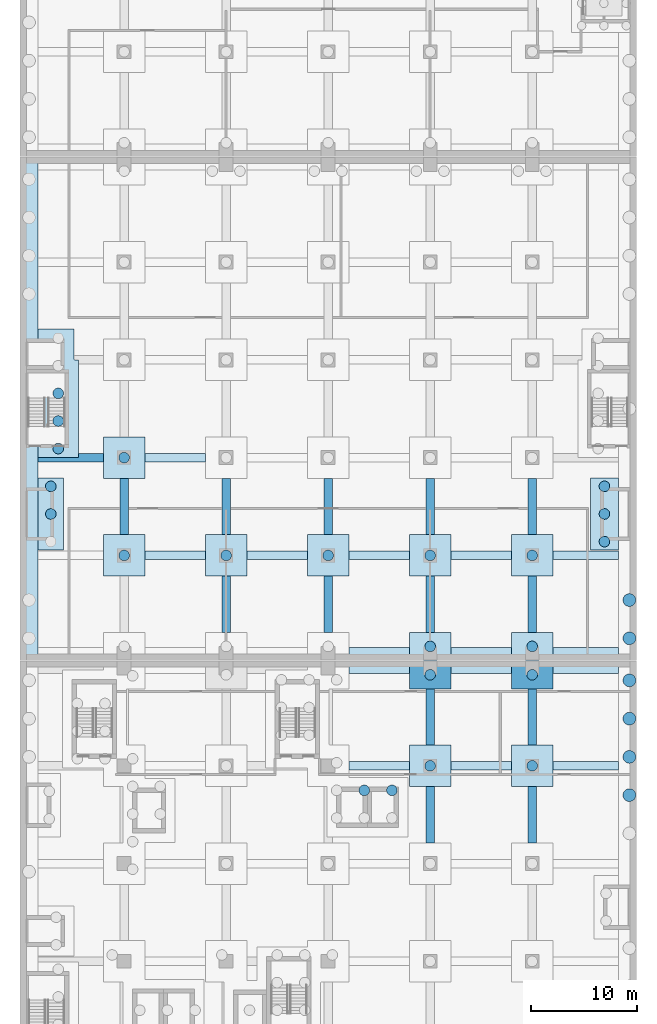
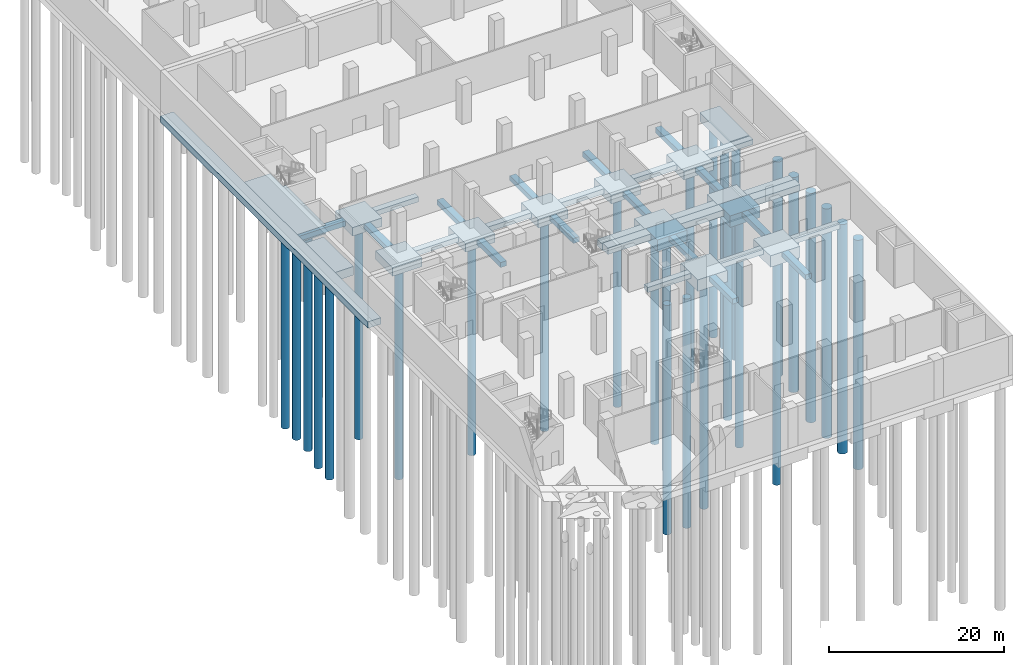
# One storey, part 4 of 33: 45 footings, 28 piles.
"""IFC4 building model written with IfcOpenShell, lengths in metres."""

import ifcopenshell
import ifcopenshell.guid

model = None  # the IFC model being written
_history = None  # IfcOwnerHistory: only IFC2X3 demands one
_inside = {}  # id of a spatial element -> (the spatial element, [elements in it])
_under = {}  # id of a project, library or spatial element -> (it, [spatial elements below it])
_declared = {}  # id of a project -> (the project, [libraries it declares])
_typed = {}  # id of a type object -> (the type object, [elements of that type])
_made_of = {}  # id of a material, layer set ... -> (it, [elements and type objects made of it])


def new_model(schema):
    """Start an empty IFC model of exactly this schema.

    Asked for "IFC4X3", IfcOpenShell would pick the latest addendum, in which some entities
    have other attributes; the version numbers below select the first issue.
    IFC2X3 requires an IfcOwnerHistory on every rooted entity: one is made here for all.
    """
    global model, _history
    if schema == "IFC4X3":
        model = ifcopenshell.file(schema_version=(4, 3, 0, 0))
    else:
        model = ifcopenshell.file(schema=schema)
    _inside.clear()
    _under.clear()
    _declared.clear()
    _typed.clear()
    _made_of.clear()
    _history = None
    if model.schema == "IFC2X3":
        org = make("IfcOrganization", Name="unknown")
        user = make(
            "IfcPersonAndOrganization",
            ThePerson=make("IfcPerson", FamilyName="unknown"),
            TheOrganization=org,
        )
        app = make(
            "IfcApplication",
            ApplicationDeveloper=org,
            Version="unknown",
            ApplicationFullName="unknown",
            ApplicationIdentifier="unknown",
        )
        _history = make(
            "IfcOwnerHistory",
            OwningUser=user,
            OwningApplication=app,
            ChangeAction="ADDED",
            CreationDate=0,
        )
    return model


def make(cls, **values):
    """One entity of the class cls with the attributes given. An attribute that is None is left unset."""
    return model.create_entity(
        cls, **{name: value for name, value in values.items() if value is not None}
    )


def rooted(cls, **values):
    """An entity with a GlobalId (a new one), such as an element, a storey or a relation."""
    return make(cls, GlobalId=ifcopenshell.guid.new(), OwnerHistory=_history, **values)


def si_unit(unit_type, name, prefix=None):
    """IfcSIUnit, for example si_unit("LENGTHUNIT", "METRE", prefix="MILLI")."""
    return make("IfcSIUnit", UnitType=unit_type, Prefix=prefix, Name=name)


def assignment(units):
    """IfcUnitAssignment: the units of a project."""
    return None if units is None else make("IfcUnitAssignment", Units=units)


def point(xyz):
    """IfcCartesianPoint."""
    return None if xyz is None else make("IfcCartesianPoint", Coordinates=xyz)


def direction(xyz):
    """IfcDirection."""
    return None if xyz is None else make("IfcDirection", DirectionRatios=xyz)


def frame(location, z_axis=None, x_axis=None):
    """IfcAxis2Placement3D, a coordinate frame: its origin and axes. An axis left out is left unset."""
    return make(
        "IfcAxis2Placement3D",
        Location=point(location),
        Axis=direction(z_axis),
        RefDirection=direction(x_axis),
    )


def frame_2d(location, x_axis=None):
    """IfcAxis2Placement2D, a coordinate frame in the plane: its origin and x axis."""
    return make(
        "IfcAxis2Placement2D", Location=point(location), RefDirection=direction(x_axis)
    )


def origin():
    """The frame at (0, 0, 0) with its axes left unset."""
    return frame((0.0, 0.0, 0.0))


def origin_2d():
    """The frame at (0, 0) in the plane with its x axis left unset."""
    return frame_2d((0.0, 0.0))


def place(relative_to, where):
    """IfcLocalPlacement: puts the frame where relative to a parent placement (None: the world)."""
    return make(
        "IfcLocalPlacement", PlacementRelTo=relative_to, RelativePlacement=where
    )


def context(
    kind, dimensions, precision=None, world=None, true_north=None, identifier=None
):
    """IfcGeometricRepresentationContext, for example the 3D "Model" context."""
    return make(
        "IfcGeometricRepresentationContext",
        ContextIdentifier=identifier,
        ContextType=kind,
        CoordinateSpaceDimension=dimensions,
        Precision=precision,
        WorldCoordinateSystem=world,
        TrueNorth=true_north,
    )


def subcontext(parent, identifier, kind, view, scale=None):
    """IfcGeometricRepresentationSubContext, for example "Body" below "Model"."""
    return make(
        "IfcGeometricRepresentationSubContext",
        ContextIdentifier=identifier,
        ContextType=kind,
        ParentContext=parent,
        TargetScale=scale,
        TargetView=view,
    )


def project(units=None, contexts=None):
    """IfcProject with its units and contexts."""
    return rooted(
        "IfcProject",
        Name="project",
        RepresentationContexts=contexts,
        UnitsInContext=assignment(units),
    )


def spatial(cls, under=None, at=None, **own):
    """A site, building, storey or space (cls), placed at a placement, below another one or the project."""
    s = rooted(cls, ObjectPlacement=at, **own)
    if under is not None:
        _under.setdefault(under.id(), (under, []))[1].append(s)
    return s


def polyline(points):
    """IfcPolyline through the points."""
    return make("IfcPolyline", Points=[point(p) for p in points])


def profile(cls, at=None, kind="AREA", **sizes):
    """A parametric profile (cls). Its sizes go by their IFC names, for example OverallWidth=200.0."""
    return make(cls, ProfileType=kind, Position=at, **sizes)


def circle(**sizes):
    """IfcCircleProfileDef."""
    return profile("IfcCircleProfileDef", **sizes)


def outline(outer, holes=None, kind="AREA"):
    """IfcArbitraryClosedProfileDef: a profile drawn as a closed curve; with holes, ...WithVoids."""
    if holes is None:
        return make("IfcArbitraryClosedProfileDef", ProfileType=kind, OuterCurve=outer)
    return make(
        "IfcArbitraryProfileDefWithVoids",
        ProfileType=kind,
        OuterCurve=outer,
        InnerCurves=holes,
    )


def extrude(swept, where, along, depth):
    """IfcExtrudedAreaSolid: the profile swept, set in the frame where, extruded along a direction by depth."""
    return make(
        "IfcExtrudedAreaSolid",
        SweptArea=swept,
        Position=where,
        ExtrudedDirection=direction(along),
        Depth=depth,
    )


def shape(context_of_items, identifier, shape_type, items):
    """IfcShapeRepresentation: the items that make up one representation, for example the "Body"."""
    return make(
        "IfcShapeRepresentation",
        ContextOfItems=context_of_items,
        RepresentationIdentifier=identifier,
        RepresentationType=shape_type,
        Items=items,
    )


def material(Name=None, Category=None):
    """IfcMaterial."""
    return make("IfcMaterial", Name=Name, Category=Category)


def layer(
    of_material, thickness, ventilated=None, Name=None, Category=None, Priority=None
):
    """IfcMaterialLayer: one layer of a wall or slab, of a material (None: an air gap)."""
    return make(
        "IfcMaterialLayer",
        Material=of_material,
        LayerThickness=thickness,
        IsVentilated=ventilated,
        Name=Name,
        Category=Category,
        Priority=Priority,
    )


def layer_set(layers, Name=None):
    """IfcMaterialLayerSet."""
    return make("IfcMaterialLayerSet", MaterialLayers=layers, LayerSetName=Name)


def material_profile(
    of_material, cross_section, Name=None, Category=None, Priority=None
):
    """IfcMaterialProfile: a cross section and its material."""
    return make(
        "IfcMaterialProfile",
        Name=Name,
        Material=of_material,
        Profile=cross_section,
        Priority=Priority,
        Category=Category,
    )


def profile_set(profiles, Name=None, composite=None):
    """IfcMaterialProfileSet."""
    return make(
        "IfcMaterialProfileSet",
        Name=Name,
        MaterialProfiles=profiles,
        CompositeProfile=composite,
    )


def made_of(thing, what):
    """Note that an element or type object is made of a material, layer set ...; save() writes the relation."""
    if what is not None:
        _made_of.setdefault(what.id(), (what, []))[1].append(thing)
    return thing


def type_object(cls, material=None, **own):
    """A type object (cls), such as IfcWallType, which elements share."""
    return made_of(rooted(cls, **own), material)


def element(
    cls,
    number,
    at=None,
    inside=None,
    cuts=None,
    type_object=None,
    material=None,
    context=None,
    identifier="Body",
    shape_type=None,
    held_by="IfcProductDefinitionShape",
    body=None,
    shapes=None,
    **own,
):
    """One element of the class cls, such as IfcWall. Its Tag is "e" and its number.

    at: its placement. inside: the storey or other place that contains it. cuts: it is an
    opening in that element (IfcRelVoidsElement). A single representation is given by context,
    identifier, shape_type and body (its items); several are given by shapes. held_by: the class
    of the entity that holds the representations. save() writes the other relations.
    """
    e = rooted(cls, Tag="e%d" % number, ObjectPlacement=at, **own)
    if body is not None:
        shapes = [shape(context, identifier, shape_type, body)]
    if shapes is not None:
        e.Representation = make(held_by, Representations=shapes)
    if inside is not None:
        _inside.setdefault(inside.id(), (inside, []))[1].append(e)
    if cuts is not None:
        rooted(
            "IfcRelVoidsElement", RelatingBuildingElement=cuts, RelatedOpeningElement=e
        )
    if type_object is not None:
        _typed.setdefault(type_object.id(), (type_object, []))[1].append(e)
    return made_of(e, material)


def aggregate(whole, parts):
    """IfcRelAggregates: a whole, such as a stair, and the parts it consists of."""
    return rooted("IfcRelAggregates", RelatingObject=whole, RelatedObjects=parts)


def save(model, path):
    """Write the relations noted so far, then the file.

    IfcRelAggregates (storeys below a building ...), IfcRelContainedInSpatialStructure (elements
    in a storey), IfcRelDefinesByType, IfcRelAssociatesMaterial and IfcRelDeclares: one each for
    every whole, place, type object, material and project.
    """
    for whole, parts in _under.values():
        aggregate(whole, parts)
    for where, things in _inside.values():
        rooted(
            "IfcRelContainedInSpatialStructure",
            RelatedElements=things,
            RelatingStructure=where,
        )
    for kind, things in _typed.values():
        rooted("IfcRelDefinesByType", RelatedObjects=things, RelatingType=kind)
    for what, things in _made_of.values():
        rooted("IfcRelAssociatesMaterial", RelatedObjects=things, RelatingMaterial=what)
    for by, libraries in _declared.values():
        rooted("IfcRelDeclares", RelatingContext=by, RelatedDefinitions=libraries)
    model.write(path)


model = new_model("IFC4")

# Units and contexts
model_context = context("Model", 3, precision=1e-05, world=origin(), true_north=direction((0.0, 1.0)))
body_context = subcontext(model_context, "Body", "Model", "MODEL_VIEW")
ifc_project = project(units=[si_unit("LENGTHUNIT", "METRE"), si_unit("AREAUNIT", "SQUARE_METRE"), si_unit("VOLUMEUNIT", "CUBIC_METRE"), si_unit("PLANEANGLEUNIT", "RADIAN"), si_unit("MASSUNIT", "GRAM", prefix="KILO")], contexts=[model_context])

# Site, building, storey
site_placement = place(None, origin())
site = spatial("IfcSite", under=ifc_project, at=site_placement, CompositionType="ELEMENT")
building_placement = place(site_placement, origin())
building = spatial("IfcBuilding", under=site, at=building_placement, Name="Nzadi Deep Aquarium and Research Tower", CompositionType="ELEMENT")
storey_placement = place(building_placement, frame((0.0, 0.0, -5.5)))
storey = spatial("IfcBuildingStorey", under=building, at=storey_placement, Name="B1", CompositionType="ELEMENT", Elevation=-5.5)

# Piles
ifc_material_1 = material(Name="Concrete C40/50", Category="concrete")
ifc_material_profile_1 = material_profile(ifc_material_1, circle(Radius=0.5, at=origin_2d()))
ifc_profile_set_1 = profile_set([ifc_material_profile_1], Name="Concrete C40/50")
pile_type_1 = type_object("IfcPileType", Name="Bored pile D1000", PredefinedType="BORED", material=ifc_profile_set_1)
for number, where, z_axis, x_axis, name in (
    (1, (32.199951171875, 34.489990234375, -2.10009765625), (0.0, 0.0, -1.0), (1.0, 0.0, 0.0), "P-Z1-23-12"),
    (2, (34.800048828125, 34.489990234375, -2.10009765625), (0.0, 0.0, -1.0), (1.0, 0.0, 0.0), "P-Z1-23-14"),
    (3, (38.39990234375, 36.800048828125, -2.10009765625), (0.0, 0.0, -1.0), (1.0, 0.0, 0.0), "P-Z1-25-1"),
    (4, (48.0, 36.800048828125, -2.10009765625), (0.0, 0.0, -1.0), (1.0, 0.0, 0.0), "P-Z1-26-1"),
    (5, (38.400146484375, 45.364990234375, -2.10009765625), (0.0, 0.0, -1.0), (1.0, 0.0, 0.0), "P-Z1-28-1"),
    (6, (48.000244140625, 45.364990234375, -2.10009765625), (0.0, 0.0, -1.0), (1.0, 0.0, 0.0), "P-Z1-29-1"),
):
    element("IfcPile", number, at=place(storey_placement, frame(where, z_axis=z_axis, x_axis=x_axis)), inside=storey, type_object=pile_type_1, Name=name, PredefinedType="BORED", context=body_context, shape_type="SweptSolid", body=[
        extrude(circle(Radius=0.5, at=origin_2d()), origin(), (0.0, 0.0, 1.0), 32.0),
    ])
for number, where, z_axis, x_axis, name in (
    (7, (38.39990234375, 48.034912109375, -1.89990234375), (0.0, 0.0, -1.0), (1.0, 0.0, 0.0), "P-Z2-04-1"),
    (8, (47.999755859375, 48.034912109375, -1.89990234375), (0.0, 0.0, -1.0), (1.0, 0.0, 0.0), "P-Z2-05-1"),
    (9, (9.599853515625, 56.60009765625, -1.89990234375), (0.0, 0.0, -1.0), (1.0, 0.0, 0.0), "P-Z2-06-1"),
    (10, (19.199951171875, 56.60009765625, -1.89990234375), (0.0, 0.0, -1.0), (1.0, 0.0, 0.0), "P-Z2-07-1"),
    (11, (28.7998046875, 56.60009765625, -1.89990234375), (0.0, 0.0, -1.0), (1.0, 0.0, 0.0), "P-Z2-08-1"),
    (12, (38.39990234375, 56.60009765625, -1.89990234375), (0.0, 0.0, -1.0), (1.0, 0.0, 0.0), "P-Z2-09-1"),
    (13, (48.0, 56.60009765625, -1.89990234375), (0.0, 0.0, -1.0), (1.0, 0.0, 0.0), "P-Z2-10-1"),
    (14, (2.699951171875, 60.5, -1.89990234375), (0.0, 0.0, -1.0), (1.0, 0.0, 0.0), "P-Z2-11-2"),
    (15, (2.699951171875, 63.10009765625, -1.89990234375), (0.0, 0.0, -1.0), (1.0, 0.0, 0.0), "P-Z2-11-3"),
    (16, (54.800048828125, 57.89990234375, -1.89990234375), (0.0, 0.0, -1.0), (1.0, 0.0, 0.0), "P-Z2-12-1"),
    (17, (54.800048828125, 60.5, -1.89990234375), (0.0, 0.0, -1.0), (1.0, 0.0, 0.0), "P-Z2-12-2"),
    (18, (54.800048828125, 63.10009765625, -1.89990234375), (0.0, 0.0, -1.0), (1.0, 0.0, 0.0), "P-Z2-12-3"),
    (19, (9.599853515625, 65.800048828125, -1.89990234375), (0.0, 0.0, -1.0), (1.0, 0.0, 0.0), "P-Z2-13-1"),
    (20, (3.39990234375, 66.64990234375, -1.89990234375), (0.0, 0.0, -1.0), (1.0, 0.0, 0.0), "P-Z2-18-1"),
    (21, (3.39990234375, 69.25, -1.89990234375), (0.0, 0.0, -1.0), (1.0, 0.0, 0.0), "P-Z2-18-2"),
    (22, (3.39990234375, 71.85009765625, -1.89990234375), (0.0, 0.0, -1.0), (1.0, 0.0, 0.0), "P-Z2-18-3"),
):
    element("IfcPile", number, at=place(storey_placement, frame(where, z_axis=z_axis, x_axis=x_axis)), inside=storey, type_object=pile_type_1, Name=name, PredefinedType="BORED", context=body_context, shape_type="SweptSolid", body=[
        extrude(circle(Radius=0.5, at=origin_2d()), origin(), (0.0, 0.0, 1.0), 30.0),
    ])
ifc_material_2 = material(Name="Concrete C40/50", Category="concrete")
ifc_material_profile_2 = material_profile(ifc_material_2, circle(Radius=0.60009765625, at=origin_2d()))
ifc_profile_set_2 = profile_set([ifc_material_profile_2], Name="Concrete C40/50")
pile_type_2 = type_object("IfcPileType", Name="Bored pile D1200", PredefinedType="BORED", material=ifc_profile_set_2)
for number, where, z_axis, x_axis, name in (
    (23, (57.14990234375, 34.0400390625, -1.39990234375), (0.0, 0.0, -1.0), (1.0, 0.0, 0.0), "P-Z1-Z1-E-6"),
    (24, (57.14990234375, 37.639892578125, -1.39990234375), (0.0, 0.0, -1.0), (1.0, 0.0, 0.0), "P-Z1-Z1-E-7"),
    (25, (57.14990234375, 41.239990234375, -1.39990234375), (0.0, 0.0, -1.0), (1.0, 0.0, 0.0), "P-Z1-Z1-E-8"),
    (26, (57.14990234375, 44.840087890625, -1.39990234375), (0.0, 0.0, -1.0), (1.0, 0.0, 0.0), "P-Z1-Z1-E-9"),
):
    element("IfcPile", number, at=place(storey_placement, frame(where, z_axis=z_axis, x_axis=x_axis)), inside=storey, type_object=pile_type_2, Name=name, PredefinedType="BORED", context=body_context, shape_type="SweptSolid", body=[
        extrude(circle(Radius=0.60009765625, at=origin_2d()), origin(), (0.0, 0.0, 1.0), 32.0),
    ])
for number, where, z_axis, x_axis, name in (
    (27, (57.14990234375, 48.800048828125, -1.60009765625), (0.0, 0.0, -1.0), (1.0, 0.0, 0.0), "P-Z2-Z2-E-1"),
    (28, (57.14990234375, 52.39990234375, -1.60009765625), (0.0, 0.0, -1.0), (1.0, 0.0, 0.0), "P-Z2-Z2-E-2"),
):
    element("IfcPile", number, at=place(storey_placement, frame(where, z_axis=z_axis, x_axis=x_axis)), inside=storey, type_object=pile_type_2, Name=name, PredefinedType="BORED", context=body_context, shape_type="SweptSolid", body=[
        extrude(circle(Radius=0.60009765625, at=origin_2d()), origin(), (0.0, 0.0, 1.0), 30.0),
    ])

# Footings
ifc_material_3 = material(Name="Concrete C40/50", Category="concrete")
ifc_layer_1 = layer(ifc_material_3, 0.699951171875)
ifc_layer_set_1 = layer_set([ifc_layer_1], Name="Concrete C40/50")
footing_type_1 = type_object("IfcFootingType", Name="RC ground beam 700", PredefinedType="FOOTING_BEAM", material=ifc_layer_set_1)
footing_1_placement = place(storey_placement, frame((0.0, 0.0, -1.300048828125)))
element("IfcFooting", 29, at=footing_1_placement, inside=storey, type_object=footing_type_1, Name="SF-Z1-TX5-4", PredefinedType="FOOTING_BEAM", context=body_context, shape_type="SweptSolid", body=[
    extrude(outline(polyline([(36.449951171875, 37.199951171875), (30.75, 37.199951171875), (30.75, 36.39990234375), (36.449951171875, 36.39990234375), (36.449951171875, 37.199951171875)])), origin(), (0.0, 0.0, 1.0), 0.699951171875),
])
footing_2_placement = place(storey_placement, frame((0.0, 0.0, -1.300048828125)))
element("IfcFooting", 30, at=footing_2_placement, inside=storey, type_object=footing_type_1, Name="SF-Z1-TX5-5", PredefinedType="FOOTING_BEAM", context=body_context, shape_type="SweptSolid", body=[
    extrude(outline(polyline([(46.050048828125, 37.199951171875), (40.35009765625, 37.199951171875), (40.35009765625, 36.39990234375), (46.050048828125, 36.39990234375), (46.050048828125, 37.199951171875)])), origin(), (0.0, 0.0, 1.0), 0.699951171875),
])
footing_3_placement = place(storey_placement, frame((0.0, 0.0, -1.300048828125)))
element("IfcFooting", 31, at=footing_3_placement, inside=storey, type_object=footing_type_1, Name="SF-Z1-TX5-6", PredefinedType="FOOTING_BEAM", context=body_context, shape_type="SweptSolid", body=[
    extrude(outline(polyline([(56.10009765625, 36.39990234375), (56.10009765625, 37.199951171875), (49.949951171875, 37.199951171875), (49.949951171875, 36.39990234375), (56.10009765625, 36.39990234375)])), origin(), (0.0, 0.0, 1.0), 0.699951171875),
])
footing_4_placement = place(storey_placement, frame((0.0, 0.0, -1.300048828125)))
element("IfcFooting", 32, at=footing_4_placement, inside=storey, type_object=footing_type_1, Name="SF-Z1-TYE-4", PredefinedType="FOOTING_BEAM", context=body_context, shape_type="SweptSolid", body=[
    extrude(outline(polyline([(38.800048828125, 29.550048828125), (38.800048828125, 34.85009765625), (38.0, 34.85009765625), (38.0, 29.550048828125), (38.800048828125, 29.550048828125)])), origin(), (0.0, 0.0, 1.0), 0.699951171875),
])
footing_5_placement = place(storey_placement, frame((0.0, 0.0, -1.300048828125)))
element("IfcFooting", 33, at=footing_5_placement, inside=storey, type_object=footing_type_1, Name="SF-Z1-TYE-5", PredefinedType="FOOTING_BEAM", context=body_context, shape_type="SweptSolid", body=[
    extrude(outline(polyline([(38.800048828125, 38.75), (38.800048828125, 44.050048828125), (38.0, 44.050048828125), (38.0, 38.75), (38.800048828125, 38.75)])), origin(), (0.0, 0.0, 1.0), 0.699951171875),
])
footing_6_placement = place(storey_placement, frame((0.0, 0.0, -1.300048828125)))
element("IfcFooting", 34, at=footing_6_placement, inside=storey, type_object=footing_type_1, Name="SF-Z1-TYF-4", PredefinedType="FOOTING_BEAM", context=body_context, shape_type="SweptSolid", body=[
    extrude(outline(polyline([(48.39990234375, 29.550048828125), (48.39990234375, 34.85009765625), (47.60009765625, 34.85009765625), (47.60009765625, 29.550048828125), (48.39990234375, 29.550048828125)])), origin(), (0.0, 0.0, 1.0), 0.699951171875),
])
footing_7_placement = place(storey_placement, frame((0.0, 0.0, -1.300048828125)))
element("IfcFooting", 35, at=footing_7_placement, inside=storey, type_object=footing_type_1, Name="SF-Z1-TYF-5", PredefinedType="FOOTING_BEAM", context=body_context, shape_type="SweptSolid", body=[
    extrude(outline(polyline([(48.39990234375, 38.75), (48.39990234375, 44.050048828125), (47.60009765625, 44.050048828125), (47.60009765625, 38.75), (48.39990234375, 38.75)])), origin(), (0.0, 0.0, 1.0), 0.699951171875),
])
footing_8_placement = place(storey_placement, frame((0.0, 0.0, -1.5)))
element("IfcFooting", 36, at=footing_8_placement, inside=storey, type_object=footing_type_1, Name="SF-Z2-TX8-2", PredefinedType="FOOTING_BEAM", context=body_context, shape_type="SweptSolid", body=[
    extrude(outline(polyline([(17.25, 57.0), (11.550048828125, 57.0), (11.550048828125, 56.199951171875), (17.25, 56.199951171875), (17.25, 57.0)])), origin(), (0.0, 0.0, 1.0), 0.699951171875),
])
footing_9_placement = place(storey_placement, frame((0.0, 0.0, -1.5)))
element("IfcFooting", 37, at=footing_9_placement, inside=storey, type_object=footing_type_1, Name="SF-Z2-TX8-3", PredefinedType="FOOTING_BEAM", context=body_context, shape_type="SweptSolid", body=[
    extrude(outline(polyline([(26.85009765625, 57.0), (21.14990234375, 57.0), (21.14990234375, 56.199951171875), (26.85009765625, 56.199951171875), (26.85009765625, 57.0)])), origin(), (0.0, 0.0, 1.0), 0.699951171875),
])
footing_10_placement = place(storey_placement, frame((0.0, 0.0, -1.5)))
element("IfcFooting", 38, at=footing_10_placement, inside=storey, type_object=footing_type_1, Name="SF-Z2-TX8-4", PredefinedType="FOOTING_BEAM", context=body_context, shape_type="SweptSolid", body=[
    extrude(outline(polyline([(36.449951171875, 57.0), (30.75, 57.0), (30.75, 56.199951171875), (36.449951171875, 56.199951171875), (36.449951171875, 57.0)])), origin(), (0.0, 0.0, 1.0), 0.699951171875),
])
footing_11_placement = place(storey_placement, frame((0.0, 0.0, -1.5)))
element("IfcFooting", 39, at=footing_11_placement, inside=storey, type_object=footing_type_1, Name="SF-Z2-TX8-5", PredefinedType="FOOTING_BEAM", context=body_context, shape_type="SweptSolid", body=[
    extrude(outline(polyline([(46.050048828125, 57.0), (40.35009765625, 57.0), (40.35009765625, 56.199951171875), (46.050048828125, 56.199951171875), (46.050048828125, 57.0)])), origin(), (0.0, 0.0, 1.0), 0.699951171875),
])
footing_12_placement = place(storey_placement, frame((0.0, 0.0, -1.5)))
element("IfcFooting", 40, at=footing_12_placement, inside=storey, type_object=footing_type_1, Name="SF-Z2-TX8-6", PredefinedType="FOOTING_BEAM", context=body_context, shape_type="SweptSolid", body=[
    extrude(outline(polyline([(56.10009765625, 56.199951171875), (56.10009765625, 57.0), (49.949951171875, 57.0), (49.949951171875, 56.199951171875), (56.10009765625, 56.199951171875)])), origin(), (0.0, 0.0, 1.0), 0.699951171875),
])
footing_13_placement = place(storey_placement, frame((0.0, 0.0, -1.5)))
element("IfcFooting", 41, at=footing_13_placement, inside=storey, type_object=footing_type_1, Name="SF-Z2-TX9-1", PredefinedType="FOOTING_BEAM", context=body_context, shape_type="SweptSolid", body=[
    extrude(outline(polyline([(7.64990234375, 66.199951171875), (5.300048828125, 66.199951171875), (5.300048828125, 65.80126953125), (5.300048828125, 65.800048828125), (5.298828125, 65.800048828125), (1.501220703125, 65.800048828125), (1.5, 65.800048828125), (1.5, 65.80126953125), (1.5, 65.39990234375), (7.64990234375, 65.39990234375), (7.64990234375, 66.199951171875)])), origin(), (0.0, 0.0, 1.0), 0.699951171875),
])
footing_14_placement = place(storey_placement, frame((0.0, 0.0, -1.5)))
element("IfcFooting", 42, at=footing_14_placement, inside=storey, type_object=footing_type_1, Name="SF-Z2-TX9-2", PredefinedType="FOOTING_BEAM", context=body_context, shape_type="SweptSolid", body=[
    extrude(outline(polyline([(17.25, 66.199951171875), (11.550048828125, 66.199951171875), (11.550048828125, 65.39990234375), (17.25, 65.39990234375), (17.25, 66.199951171875)])), origin(), (0.0, 0.0, 1.0), 0.699951171875),
])
footing_15_placement = place(storey_placement, frame((0.0, 0.0, -1.5)))
element("IfcFooting", 43, at=footing_15_placement, inside=storey, type_object=footing_type_1, Name="SF-Z2-TYB-2", PredefinedType="FOOTING_BEAM", context=body_context, shape_type="SweptSolid", body=[
    extrude(outline(polyline([(10.0, 58.550048828125), (10.0, 63.85009765625), (9.199951171875, 63.85009765625), (9.199951171875, 58.550048828125), (10.0, 58.550048828125)])), origin(), (0.0, 0.0, 1.0), 0.699951171875),
])
footing_16_placement = place(storey_placement, frame((0.0, 0.0, -1.5)))
element("IfcFooting", 44, at=footing_16_placement, inside=storey, type_object=footing_type_1, Name="SF-Z2-TYC-1", PredefinedType="FOOTING_BEAM", context=body_context, shape_type="SweptSolid", body=[
    extrude(outline(polyline([(19.60009765625, 49.35009765625), (19.60009765625, 54.64990234375), (18.800048828125, 54.64990234375), (18.800048828125, 49.35009765625), (19.60009765625, 49.35009765625)])), origin(), (0.0, 0.0, 1.0), 0.699951171875),
])
footing_17_placement = place(storey_placement, frame((0.0, 0.0, -1.5)))
element("IfcFooting", 45, at=footing_17_placement, inside=storey, type_object=footing_type_1, Name="SF-Z2-TYC-2", PredefinedType="FOOTING_BEAM", context=body_context, shape_type="SweptSolid", body=[
    extrude(outline(polyline([(19.60009765625, 58.550048828125), (19.60009765625, 63.85009765625), (18.800048828125, 63.85009765625), (18.800048828125, 58.550048828125), (19.60009765625, 58.550048828125)])), origin(), (0.0, 0.0, 1.0), 0.699951171875),
])
footing_18_placement = place(storey_placement, frame((0.0, 0.0, -1.5)))
element("IfcFooting", 46, at=footing_18_placement, inside=storey, type_object=footing_type_1, Name="SF-Z2-TYD-1", PredefinedType="FOOTING_BEAM", context=body_context, shape_type="SweptSolid", body=[
    extrude(outline(polyline([(29.199951171875, 49.35009765625), (29.199951171875, 54.64990234375), (28.39990234375, 54.64990234375), (28.39990234375, 49.35009765625), (29.199951171875, 49.35009765625)])), origin(), (0.0, 0.0, 1.0), 0.699951171875),
])
footing_19_placement = place(storey_placement, frame((0.0, 0.0, -1.5)))
element("IfcFooting", 47, at=footing_19_placement, inside=storey, type_object=footing_type_1, Name="SF-Z2-TYD-2", PredefinedType="FOOTING_BEAM", context=body_context, shape_type="SweptSolid", body=[
    extrude(outline(polyline([(29.199951171875, 58.550048828125), (29.199951171875, 63.85009765625), (28.39990234375, 63.85009765625), (28.39990234375, 58.550048828125), (29.199951171875, 58.550048828125)])), origin(), (0.0, 0.0, 1.0), 0.699951171875),
])
footing_20_placement = place(storey_placement, frame((0.0, 0.0, -1.5)))
element("IfcFooting", 48, at=footing_20_placement, inside=storey, type_object=footing_type_1, Name="SF-Z2-TYE-1", PredefinedType="FOOTING_BEAM", context=body_context, shape_type="SweptSolid", body=[
    extrude(outline(polyline([(38.800048828125, 49.35009765625), (38.800048828125, 54.64990234375), (38.0, 54.64990234375), (38.0, 49.35009765625), (38.800048828125, 49.35009765625)])), origin(), (0.0, 0.0, 1.0), 0.699951171875),
])
footing_21_placement = place(storey_placement, frame((0.0, 0.0, -1.5)))
element("IfcFooting", 49, at=footing_21_placement, inside=storey, type_object=footing_type_1, Name="SF-Z2-TYE-2", PredefinedType="FOOTING_BEAM", context=body_context, shape_type="SweptSolid", body=[
    extrude(outline(polyline([(38.800048828125, 58.550048828125), (38.800048828125, 63.85009765625), (38.0, 63.85009765625), (38.0, 58.550048828125), (38.800048828125, 58.550048828125)])), origin(), (0.0, 0.0, 1.0), 0.699951171875),
])
footing_22_placement = place(storey_placement, frame((0.0, 0.0, -1.5)))
element("IfcFooting", 50, at=footing_22_placement, inside=storey, type_object=footing_type_1, Name="SF-Z2-TYF-1", PredefinedType="FOOTING_BEAM", context=body_context, shape_type="SweptSolid", body=[
    extrude(outline(polyline([(48.39990234375, 49.35009765625), (48.39990234375, 54.64990234375), (47.60009765625, 54.64990234375), (47.60009765625, 49.35009765625), (48.39990234375, 49.35009765625)])), origin(), (0.0, 0.0, 1.0), 0.699951171875),
])
footing_23_placement = place(storey_placement, frame((0.0, 0.0, -1.5)))
element("IfcFooting", 51, at=footing_23_placement, inside=storey, type_object=footing_type_1, Name="SF-Z2-TYF-2", PredefinedType="FOOTING_BEAM", context=body_context, shape_type="SweptSolid", body=[
    extrude(outline(polyline([(48.39990234375, 58.550048828125), (48.39990234375, 63.85009765625), (47.60009765625, 63.85009765625), (47.60009765625, 58.550048828125), (48.39990234375, 58.550048828125)])), origin(), (0.0, 0.0, 1.0), 0.699951171875),
])
ifc_material_4 = material(Name="Concrete C40/50", Category="concrete")
ifc_layer_2 = layer(ifc_material_4, 1.199951171875)
ifc_layer_set_2 = layer_set([ifc_layer_2], Name="Concrete C40/50")
footing_type_2 = type_object("IfcFootingType", Name="RC pile cap 1200", PredefinedType="PILE_CAP", material=ifc_layer_set_2)
footing_24_placement = place(storey_placement, frame((0.0, 0.0, -2.0)))
element("IfcFooting", 52, at=footing_24_placement, inside=storey, type_object=footing_type_2, Name="PC-Z2-04", PredefinedType="PILE_CAP", context=body_context, shape_type="SweptSolid", body=[
    extrude(outline(polyline([(36.449951171875, 49.348876953125), (36.449951171875, 46.719970703125), (40.35009765625, 46.719970703125), (40.35009765625, 49.348876953125), (40.349853515625, 49.349853515625), (40.348876953125, 49.35009765625), (36.451171875, 49.35009765625), (36.449951171875, 49.349853515625), (36.449951171875, 49.348876953125)])), origin(), (0.0, 0.0, 1.0), 1.199951171875),
])
footing_25_placement = place(storey_placement, frame((0.0, 0.0, -2.0)))
element("IfcFooting", 53, at=footing_25_placement, inside=storey, type_object=footing_type_2, Name="PC-Z2-05", PredefinedType="PILE_CAP", context=body_context, shape_type="SweptSolid", body=[
    extrude(outline(polyline([(46.050048828125, 49.348876953125), (46.050048828125, 46.719970703125), (49.949951171875, 46.719970703125), (49.949951171875, 49.348876953125), (49.949951171875, 49.349853515625), (49.94873046875, 49.35009765625), (46.05126953125, 49.35009765625), (46.050048828125, 49.349853515625), (46.050048828125, 49.348876953125)])), origin(), (0.0, 0.0, 1.0), 1.199951171875),
])
footing_26_placement = place(storey_placement, frame((0.0, 0.0, -2.0)))
element("IfcFooting", 54, at=footing_26_placement, inside=storey, type_object=footing_type_2, Name="PC-Z2-06", PredefinedType="PILE_CAP", context=body_context, shape_type="SweptSolid", body=[
    extrude(outline(polyline([(7.64990234375, 54.651123046875), (7.650146484375, 54.650146484375), (7.651123046875, 54.64990234375), (11.548828125, 54.64990234375), (11.550048828125, 54.650146484375), (11.550048828125, 54.651123046875), (11.550048828125, 58.548828125), (11.550048828125, 58.550048828125), (11.548828125, 58.550048828125), (7.651123046875, 58.550048828125), (7.650146484375, 58.550048828125), (7.64990234375, 58.548828125), (7.64990234375, 54.651123046875)])), origin(), (0.0, 0.0, 1.0), 1.199951171875),
])
footing_27_placement = place(storey_placement, frame((0.0, 0.0, -2.0)))
element("IfcFooting", 55, at=footing_27_placement, inside=storey, type_object=footing_type_2, Name="PC-Z2-07", PredefinedType="PILE_CAP", context=body_context, shape_type="SweptSolid", body=[
    extrude(outline(polyline([(17.25, 54.651123046875), (17.25, 54.650146484375), (17.251220703125, 54.64990234375), (21.148681640625, 54.64990234375), (21.14990234375, 54.650146484375), (21.14990234375, 54.651123046875), (21.14990234375, 58.548828125), (21.14990234375, 58.550048828125), (21.148681640625, 58.550048828125), (17.251220703125, 58.550048828125), (17.25, 58.550048828125), (17.25, 58.548828125), (17.25, 54.651123046875)])), origin(), (0.0, 0.0, 1.0), 1.199951171875),
])
footing_28_placement = place(storey_placement, frame((0.0, 0.0, -2.0)))
element("IfcFooting", 56, at=footing_28_placement, inside=storey, type_object=footing_type_2, Name="PC-Z2-08", PredefinedType="PILE_CAP", context=body_context, shape_type="SweptSolid", body=[
    extrude(outline(polyline([(26.85009765625, 54.651123046875), (26.85009765625, 54.650146484375), (26.851318359375, 54.64990234375), (30.748779296875, 54.64990234375), (30.75, 54.650146484375), (30.75, 54.651123046875), (30.75, 58.548828125), (30.75, 58.550048828125), (30.748779296875, 58.550048828125), (26.851318359375, 58.550048828125), (26.85009765625, 58.550048828125), (26.85009765625, 58.548828125), (26.85009765625, 54.651123046875)])), origin(), (0.0, 0.0, 1.0), 1.199951171875),
])
footing_29_placement = place(storey_placement, frame((0.0, 0.0, -2.0)))
element("IfcFooting", 57, at=footing_29_placement, inside=storey, type_object=footing_type_2, Name="PC-Z2-09", PredefinedType="PILE_CAP", context=body_context, shape_type="SweptSolid", body=[
    extrude(outline(polyline([(36.449951171875, 54.651123046875), (36.449951171875, 54.650146484375), (36.451171875, 54.64990234375), (40.348876953125, 54.64990234375), (40.349853515625, 54.650146484375), (40.35009765625, 54.651123046875), (40.35009765625, 58.548828125), (40.349853515625, 58.550048828125), (40.348876953125, 58.550048828125), (36.451171875, 58.550048828125), (36.449951171875, 58.550048828125), (36.449951171875, 58.548828125), (36.449951171875, 54.651123046875)])), origin(), (0.0, 0.0, 1.0), 1.199951171875),
])
footing_30_placement = place(storey_placement, frame((0.0, 0.0, -2.0)))
element("IfcFooting", 58, at=footing_30_placement, inside=storey, type_object=footing_type_2, Name="PC-Z2-10", PredefinedType="PILE_CAP", context=body_context, shape_type="SweptSolid", body=[
    extrude(outline(polyline([(46.050048828125, 54.651123046875), (46.050048828125, 54.650146484375), (46.05126953125, 54.64990234375), (49.94873046875, 54.64990234375), (49.949951171875, 54.650146484375), (49.949951171875, 54.651123046875), (49.949951171875, 58.548828125), (49.949951171875, 58.550048828125), (49.94873046875, 58.550048828125), (46.05126953125, 58.550048828125), (46.050048828125, 58.550048828125), (46.050048828125, 58.548828125), (46.050048828125, 54.651123046875)])), origin(), (0.0, 0.0, 1.0), 1.199951171875),
])
footing_31_placement = place(storey_placement, frame((0.0, 0.0, -2.0)))
element("IfcFooting", 59, at=footing_31_placement, inside=storey, type_object=footing_type_2, Name="PC-Z2-11", PredefinedType="PILE_CAP", context=body_context, shape_type="SweptSolid", body=[
    extrude(outline(polyline([(1.5, 57.101318359375), (1.5, 57.10009765625), (1.501220703125, 57.10009765625), (3.898681640625, 57.10009765625), (3.89990234375, 57.10009765625), (3.89990234375, 57.101318359375), (3.89990234375, 63.898681640625), (3.89990234375, 63.89990234375), (3.898681640625, 63.89990234375), (1.501220703125, 63.89990234375), (1.5, 63.89990234375), (1.5, 63.898681640625), (1.5, 57.101318359375)])), origin(), (0.0, 0.0, 1.0), 1.199951171875),
])
footing_32_placement = place(storey_placement, frame((0.0, 0.0, -2.0)))
element("IfcFooting", 60, at=footing_32_placement, inside=storey, type_object=footing_type_2, Name="PC-Z2-12", PredefinedType="PILE_CAP", context=body_context, shape_type="SweptSolid", body=[
    extrude(outline(polyline([(53.5, 57.101318359375), (53.5, 57.10009765625), (53.501220703125, 57.10009765625), (56.098876953125, 57.10009765625), (56.099853515625, 57.10009765625), (56.10009765625, 57.101318359375), (56.10009765625, 63.898681640625), (56.099853515625, 63.89990234375), (56.098876953125, 63.89990234375), (53.501220703125, 63.89990234375), (53.5, 63.89990234375), (53.5, 63.898681640625), (53.5, 57.101318359375)])), origin(), (0.0, 0.0, 1.0), 1.199951171875),
])
footing_33_placement = place(storey_placement, frame((0.0, 0.0, -2.0)))
element("IfcFooting", 61, at=footing_33_placement, inside=storey, type_object=footing_type_2, Name="PC-Z2-13", PredefinedType="PILE_CAP", context=body_context, shape_type="SweptSolid", body=[
    extrude(outline(polyline([(7.64990234375, 63.851318359375), (7.650146484375, 63.85009765625), (7.651123046875, 63.85009765625), (11.548828125, 63.85009765625), (11.550048828125, 63.85009765625), (11.550048828125, 63.851318359375), (11.550048828125, 67.748779296875), (11.550048828125, 67.75), (11.548828125, 67.75), (7.651123046875, 67.75), (7.650146484375, 67.75), (7.64990234375, 67.748779296875), (7.64990234375, 63.851318359375)])), origin(), (0.0, 0.0, 1.0), 1.199951171875),
])
footing_34_placement = place(storey_placement, frame((0.0, 0.0, -2.0)))
element("IfcFooting", 62, at=footing_34_placement, inside=storey, type_object=footing_type_2, Name="PC-Z2-18", PredefinedType="PILE_CAP", context=body_context, shape_type="SweptSolid", body=[
    extrude(outline(polyline([(1.5, 65.80126953125), (1.5, 65.800048828125), (1.501220703125, 65.800048828125), (5.298828125, 65.800048828125), (5.300048828125, 65.800048828125), (5.300048828125, 65.80126953125), (5.300048828125, 74.998779296875), (5.300048828125, 75.0), (5.298828125, 75.0), (4.949951171875, 75.0), (4.945068359375, 75.000244140625), (4.940185546875, 75.0009765625), (4.935546875, 75.002197265625), (4.930908203125, 75.00390625), (4.926513671875, 75.005859375), (4.922119140625, 75.008544921875), (4.918212890625, 75.01123046875), (4.91455078125, 75.0146484375), (4.911376953125, 75.018310546875), (4.908447265625, 75.022216796875), (4.906005859375, 75.0263671875), (4.90380859375, 75.03076171875), (4.902099609375, 75.035400390625), (4.90087890625, 75.040283203125), (4.900146484375, 75.045166015625), (4.89990234375, 75.050048828125), (4.89990234375, 77.898681640625), (4.89990234375, 77.89990234375), (4.898681640625, 77.89990234375), (1.501220703125, 77.89990234375), (1.5, 77.89990234375), (1.5, 77.898681640625), (1.5, 65.80126953125)])), origin(), (0.0, 0.0, 1.0), 1.199951171875),
])
ifc_material_5 = material(Name="Concrete C40/50", Category="concrete")
ifc_layer_3 = layer(ifc_material_5, 1.60009765625)
ifc_layer_set_3 = layer_set([ifc_layer_3], Name="Concrete C40/50")
footing_type_3 = type_object("IfcFootingType", Name="RC pile cap 1600", PredefinedType="PILE_CAP", material=ifc_layer_set_3)
footing_35_placement = place(storey_placement, frame((0.0, 0.0, -2.199951171875)))
element("IfcFooting", 63, at=footing_35_placement, inside=storey, type_object=footing_type_3, Name="PC-Z1-25", PredefinedType="PILE_CAP", context=body_context, shape_type="SweptSolid", body=[
    extrude(outline(polyline([(36.449951171875, 38.748779296875), (36.449951171875, 34.851318359375), (36.449951171875, 34.85009765625), (36.451171875, 34.85009765625), (40.348876953125, 34.85009765625), (40.349853515625, 34.85009765625), (40.35009765625, 34.851318359375), (40.35009765625, 38.748779296875), (40.349853515625, 38.75), (40.348876953125, 38.75), (36.451171875, 38.75), (36.449951171875, 38.75), (36.449951171875, 38.748779296875)])), origin(), (0.0, 0.0, 1.0), 1.599853515625),
])
footing_36_placement = place(storey_placement, frame((0.0, 0.0, -2.199951171875)))
element("IfcFooting", 64, at=footing_36_placement, inside=storey, type_object=footing_type_3, Name="PC-Z1-26", PredefinedType="PILE_CAP", context=body_context, shape_type="SweptSolid", body=[
    extrude(outline(polyline([(46.050048828125, 38.748779296875), (46.050048828125, 34.851318359375), (46.050048828125, 34.85009765625), (46.05126953125, 34.85009765625), (49.94873046875, 34.85009765625), (49.949951171875, 34.85009765625), (49.949951171875, 34.851318359375), (49.949951171875, 38.748779296875), (49.949951171875, 38.75), (49.94873046875, 38.75), (46.05126953125, 38.75), (46.050048828125, 38.75), (46.050048828125, 38.748779296875)])), origin(), (0.0, 0.0, 1.0), 1.599853515625),
])
footing_37_placement = place(storey_placement, frame((0.0, 0.0, -2.199951171875)))
element("IfcFooting", 65, at=footing_37_placement, inside=storey, type_object=footing_type_3, Name="PC-Z1-28", PredefinedType="PILE_CAP", context=body_context, shape_type="SweptSolid", body=[
    extrude(outline(polyline([(36.449951171875, 46.679931640625), (36.449951171875, 44.05126953125), (36.449951171875, 44.050048828125), (36.451171875, 44.050048828125), (40.348876953125, 44.050048828125), (40.349853515625, 44.050048828125), (40.35009765625, 44.05126953125), (40.35009765625, 46.679931640625), (36.449951171875, 46.679931640625)])), origin(), (0.0, 0.0, 1.0), 1.599853515625),
])
footing_38_placement = place(storey_placement, frame((0.0, 0.0, -2.199951171875)))
element("IfcFooting", 66, at=footing_38_placement, inside=storey, type_object=footing_type_3, Name="PC-Z1-29", PredefinedType="PILE_CAP", context=body_context, shape_type="SweptSolid", body=[
    extrude(outline(polyline([(46.050048828125, 46.679931640625), (46.050048828125, 44.05126953125), (46.050048828125, 44.050048828125), (46.05126953125, 44.050048828125), (49.94873046875, 44.050048828125), (49.949951171875, 44.050048828125), (49.949951171875, 44.05126953125), (49.949951171875, 46.679931640625), (46.050048828125, 46.679931640625)])), origin(), (0.0, 0.0, 1.0), 1.599853515625),
])
ifc_material_6 = material(Name="Concrete C40/50", Category="concrete")
ifc_layer_4 = layer(ifc_material_6, 0.89990234375)
ifc_layer_set_4 = layer_set([ifc_layer_4], Name="Concrete C40/50")
footing_type_4 = type_object("IfcFootingType", Name="RC strip footing 900", PredefinedType="STRIP_FOOTING", material=ifc_layer_set_4)
footing_39_placement = place(storey_placement, frame((0.0, 0.0, -1.699951171875)))
element("IfcFooting", 67, at=footing_39_placement, inside=storey, type_object=footing_type_4, Name="SF-Z2-W", PredefinedType="STRIP_FOOTING", context=body_context, shape_type="SweptSolid", body=[
    extrude(outline(polyline([(1.5, 46.719970703125), (1.5, 94.080078125), (-0.199462890625, 94.080078125), (-0.199462890625, 46.719970703125), (1.5, 46.719970703125)])), origin(), (0.0, 0.0, 1.0), 0.89990234375),
])
footing_40_placement = place(storey_placement, frame((0.0, 0.0, -1.5)))
element("IfcFooting", 68, at=footing_40_placement, inside=storey, type_object=footing_type_4, Name="SF-Z1-N-1", PredefinedType="STRIP_FOOTING", context=body_context, shape_type="SweptSolid", body=[
    extrude(outline(polyline([(56.10009765625, 46.679931640625), (49.949951171875, 46.679931640625), (49.949951171875, 45.47998046875), (56.10009765625, 45.47998046875), (56.10009765625, 46.679931640625)])), origin(), (0.0, 0.0, 1.0), 0.89990234375),
])
footing_41_placement = place(storey_placement, frame((0.0, 0.0, -1.5)))
element("IfcFooting", 69, at=footing_41_placement, inside=storey, type_object=footing_type_4, Name="SF-Z1-N-2", PredefinedType="STRIP_FOOTING", context=body_context, shape_type="SweptSolid", body=[
    extrude(outline(polyline([(46.050048828125, 46.679931640625), (40.35009765625, 46.679931640625), (40.35009765625, 45.47998046875), (46.050048828125, 45.47998046875), (46.050048828125, 46.679931640625)])), origin(), (0.0, 0.0, 1.0), 0.89990234375),
])
footing_42_placement = place(storey_placement, frame((0.0, 0.0, -1.5)))
element("IfcFooting", 70, at=footing_42_placement, inside=storey, type_object=footing_type_4, Name="SF-Z1-N-3", PredefinedType="STRIP_FOOTING", context=body_context, shape_type="SweptSolid", body=[
    extrude(outline(polyline([(36.449951171875, 46.679931640625), (30.75, 46.679931640625), (30.75, 45.47998046875), (36.449951171875, 45.47998046875), (36.449951171875, 46.679931640625)])), origin(), (0.0, 0.0, 1.0), 0.89990234375),
])
footing_43_placement = place(storey_placement, frame((0.0, 0.0, -1.699951171875)))
element("IfcFooting", 71, at=footing_43_placement, inside=storey, type_object=footing_type_4, Name="SF-Z2-S-1", PredefinedType="STRIP_FOOTING", context=body_context, shape_type="SweptSolid", body=[
    extrude(outline(polyline([(56.10009765625, 47.919921875), (49.949951171875, 47.919921875), (49.949951171875, 46.719970703125), (56.10009765625, 46.719970703125), (56.10009765625, 47.919921875)])), origin(), (0.0, 0.0, 1.0), 0.89990234375),
])
footing_44_placement = place(storey_placement, frame((0.0, 0.0, -1.699951171875)))
element("IfcFooting", 72, at=footing_44_placement, inside=storey, type_object=footing_type_4, Name="SF-Z2-S-2", PredefinedType="STRIP_FOOTING", context=body_context, shape_type="SweptSolid", body=[
    extrude(outline(polyline([(46.050048828125, 47.919921875), (40.35009765625, 47.919921875), (40.35009765625, 46.719970703125), (46.050048828125, 46.719970703125), (46.050048828125, 47.919921875)])), origin(), (0.0, 0.0, 1.0), 0.89990234375),
])
footing_45_placement = place(storey_placement, frame((0.0, 0.0, -1.699951171875)))
element("IfcFooting", 73, at=footing_45_placement, inside=storey, type_object=footing_type_4, Name="SF-Z2-S-3", PredefinedType="STRIP_FOOTING", context=body_context, shape_type="SweptSolid", body=[
    extrude(outline(polyline([(36.449951171875, 47.919921875), (30.75, 47.919921875), (30.75, 46.719970703125), (36.449951171875, 46.719970703125), (36.449951171875, 47.919921875)])), origin(), (0.0, 0.0, 1.0), 0.89990234375),
])

save(model, "model.ifc")
